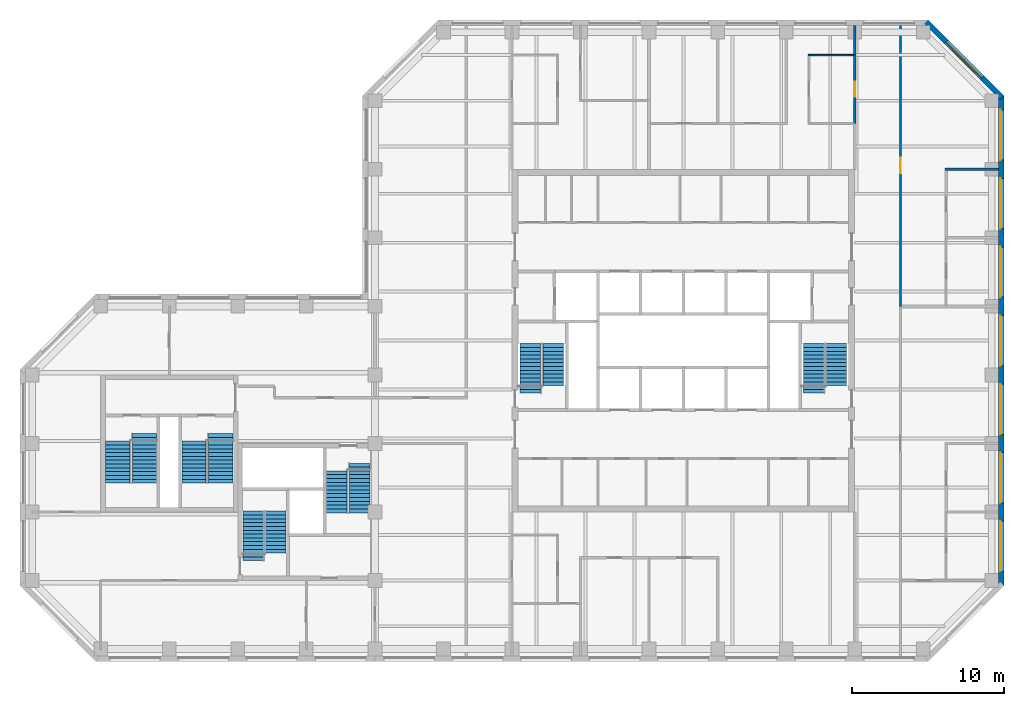
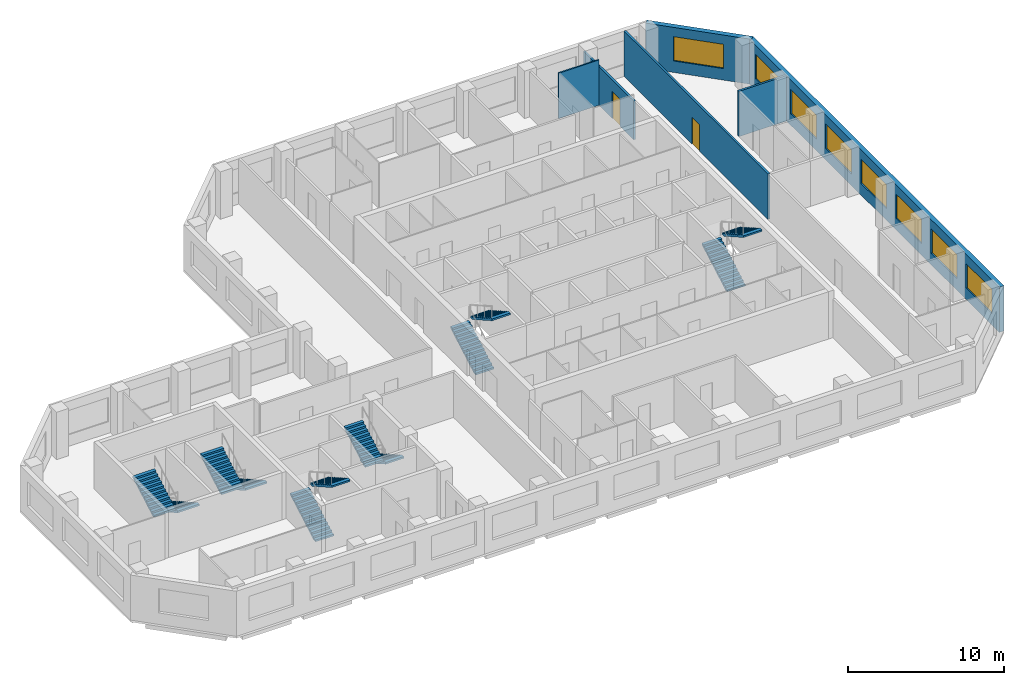
# One storey, part 8 of 9: 12 stair flights, 8 windows, 7 walls, 2 doors, 10 openings, 6 elements without a shape of their own.
"""IFC4 building model written with IfcOpenShell, lengths in metres."""

from ifc_helpers import new_model, si_unit, direction, frame, frame_2d, origin, place, context, subcontext, project, spatial, polyline, rectangle, outline, extrude, material, layer, layer_set, constituent, constituent_set, type_object, element, fill, aggregate, save


model = new_model("IFC4")

# Units and contexts
model_context = context("Model", 3, precision=1e-05, world=origin(), true_north=direction((0.0, 1.0)))
body_context = subcontext(model_context, "Body", "Model", "MODEL_VIEW")
ifc_project = project(units=[si_unit("LENGTHUNIT", "METRE"), si_unit("AREAUNIT", "SQUARE_METRE"), si_unit("VOLUMEUNIT", "CUBIC_METRE"), si_unit("PLANEANGLEUNIT", "RADIAN"), si_unit("MASSUNIT", "GRAM", prefix="KILO")], contexts=[model_context])

# Site, building, storey
site_placement = place(None, origin())
site = spatial("IfcSite", under=ifc_project, at=site_placement, CompositionType="ELEMENT")
building_placement = place(site_placement, origin())
building = spatial("IfcBuilding", under=site, at=building_placement, Name="Quoin Convention Tower", CompositionType="ELEMENT")
storey_placement = place(building_placement, frame((0.0, 0.0, 252.60009765625)))
storey = spatial("IfcBuildingStorey", under=building, at=storey_placement, Name="L66", CompositionType="ELEMENT", Elevation=252.60009765625)

# Wall
ifc_material_1 = material(Name="Plasterboard")
ifc_layer_1 = layer(ifc_material_1, 0.012451171875, Name="Finish")
ifc_material_2 = material(Name="Steel stud framing", Category="steel")
ifc_layer_2 = layer(ifc_material_2, 0.125, Name="Structure")
ifc_layer_3 = layer(ifc_material_1, 0.012451171875, Name="Finish")
ifc_layer_set_1 = layer_set([ifc_layer_1, ifc_layer_2, ifc_layer_3], Name="Steel stud framing")
wall_type_1 = type_object("IfcWallType", Name="Acoustic partition 150", PredefinedType="PARTITIONING", material=ifc_layer_set_1)
wall_1_placement = place(storey_placement, frame((73.425048828125, 72.0, 0.0), z_axis=(0.0, 0.0, 1.0), x_axis=(1.0, 0.0, 0.0)))
element("IfcWall", 1, at=wall_1_placement, inside=storey, type_object=wall_type_1, Name="pw-L66-024", PredefinedType="PARTITIONING", context=body_context, shape_type="SweptSolid", body=[
    extrude(rectangle(XDim=3.52490234375, YDim=0.14990234375, at=frame_2d((1.762451171875, 0.0))), origin(), (0.0, 0.0, 1.0), 3.5498046875),
])

# Wall, openings, windows
ifc_material_3 = material(Name="Brick masonry", Category="masonry")
ifc_layer_4 = layer(ifc_material_3, 0.35009765625)
ifc_layer_set_2 = layer_set([ifc_layer_4], Name="Brick masonry")
wall_type_2 = type_object("IfcWallType", Name="Brick facade wall", PredefinedType="STANDARD", material=ifc_layer_set_2)
wall_2_placement = place(storey_placement, frame((77.125, 44.668701171875, 0.0), z_axis=(0.0, 0.0, 1.0), x_axis=(0.0, 1.0, 0.0)))
wall_2 = element("IfcWall", 2, at=wall_2_placement, inside=storey, type_object=wall_type_2, Name="fw-L66-76500_45000", PredefinedType="STANDARD", context=body_context, shape_type="SweptSolid", body=[
    extrude(rectangle(XDim=32.16259765625, YDim=0.35009765625, at=frame_2d((16.081298828125, 0.0))), origin(), (0.0, 0.0, 1.0), 3.52490234375),
])
opening_1_placement = place(wall_2_placement, frame((0.931396484375, 0.0, 0.89990234375)))
opening_1 = element("IfcOpeningElement", 3, at=opening_1_placement, cuts=wall_2, Name="Opening W-02", PredefinedType="OPENING", context=body_context, shape_type="SweptSolid", body=[
    extrude(rectangle(XDim=3.300048828125, YDim=1.89990234375, at=frame_2d((1.64990234375, 0.949951171875))), frame((0.0, 0.18505859375, 0.0), z_axis=(0.0, -1.0, 0.0), x_axis=(1.0, 0.0, 0.0)), (0.0, 0.0, 1.0), 0.3701171875),
])
opening_2_placement = place(wall_2_placement, frame((5.431396484375, 0.0, 0.89990234375)))
opening_2 = element("IfcOpeningElement", 4, at=opening_2_placement, cuts=wall_2, Name="Opening W-02", PredefinedType="OPENING", context=body_context, shape_type="SweptSolid", body=[
    extrude(rectangle(XDim=3.300048828125, YDim=1.89990234375, at=frame_2d((1.64990234375, 0.949951171875))), frame((0.0, 0.18505859375, 0.0), z_axis=(0.0, -1.0, 0.0), x_axis=(1.0, 0.0, 0.0)), (0.0, 0.0, 1.0), 0.3701171875),
])
opening_3_placement = place(wall_2_placement, frame((9.931396484375, 0.0, 0.89990234375)))
opening_3 = element("IfcOpeningElement", 5, at=opening_3_placement, cuts=wall_2, Name="Opening W-02", PredefinedType="OPENING", context=body_context, shape_type="SweptSolid", body=[
    extrude(rectangle(XDim=3.300048828125, YDim=1.89990234375, at=frame_2d((1.64990234375, 0.949951171875))), frame((0.0, 0.18505859375, 0.0), z_axis=(0.0, -1.0, 0.0), x_axis=(1.0, 0.0, 0.0)), (0.0, 0.0, 1.0), 0.3701171875),
])
opening_4_placement = place(wall_2_placement, frame((14.431396484375, 0.0, 0.89990234375)))
opening_4 = element("IfcOpeningElement", 6, at=opening_4_placement, cuts=wall_2, Name="Opening W-02", PredefinedType="OPENING", context=body_context, shape_type="SweptSolid", body=[
    extrude(rectangle(XDim=3.300048828125, YDim=1.89990234375, at=frame_2d((1.64990234375, 0.949951171875))), frame((0.0, 0.18505859375, 0.0), z_axis=(0.0, -1.0, 0.0), x_axis=(1.0, 0.0, 0.0)), (0.0, 0.0, 1.0), 0.3701171875),
])
opening_5_placement = place(wall_2_placement, frame((18.931396484375, 0.0, 0.89990234375)))
opening_5 = element("IfcOpeningElement", 7, at=opening_5_placement, cuts=wall_2, Name="Opening W-02", PredefinedType="OPENING", context=body_context, shape_type="SweptSolid", body=[
    extrude(rectangle(XDim=3.300048828125, YDim=1.89990234375, at=frame_2d((1.64990234375, 0.949951171875))), frame((0.0, 0.18505859375, 0.0), z_axis=(0.0, -1.0, 0.0), x_axis=(1.0, 0.0, 0.0)), (0.0, 0.0, 1.0), 0.3701171875),
])
opening_6_placement = place(wall_2_placement, frame((23.431396484375, 0.0, 0.89990234375)))
opening_6 = element("IfcOpeningElement", 8, at=opening_6_placement, cuts=wall_2, Name="Opening W-02", PredefinedType="OPENING", context=body_context, shape_type="SweptSolid", body=[
    extrude(rectangle(XDim=3.300048828125, YDim=1.89990234375, at=frame_2d((1.64990234375, 0.949951171875))), frame((0.0, 0.18505859375, 0.0), z_axis=(0.0, -1.0, 0.0), x_axis=(1.0, 0.0, 0.0)), (0.0, 0.0, 1.0), 0.3701171875),
])
opening_7_placement = place(wall_2_placement, frame((27.931396484375, 0.0, 0.89990234375)))
opening_7 = element("IfcOpeningElement", 9, at=opening_7_placement, cuts=wall_2, Name="Opening W-02", PredefinedType="OPENING", context=body_context, shape_type="SweptSolid", body=[
    extrude(rectangle(XDim=3.300048828125, YDim=1.89990234375, at=frame_2d((1.64990234375, 0.949951171875))), frame((0.0, 0.18505859375, 0.0), z_axis=(0.0, -1.0, 0.0), x_axis=(1.0, 0.0, 0.0)), (0.0, 0.0, 1.0), 0.3701171875),
])
ifc_material_4 = material(Name="Aluminium", Category="aluminium")
ifc_constituent_1 = constituent(ifc_material_4, Name="Frame")
ifc_material_5 = material(Name="Insulated glass", Category="glass")
ifc_constituent_2 = constituent(ifc_material_5, Name="Glazing")
ifc_constituent_set = constituent_set(constituents=[ifc_constituent_1, ifc_constituent_2], Name="Aluminium")
window_type = type_object("IfcWindowType", Name="Office window", PartitioningType="DOUBLE_PANEL_VERTICAL", PredefinedType="WINDOW", material=ifc_constituent_set)
window_1_placement = place(opening_1_placement, origin())
window_1 = element("IfcWindow", 10, at=window_1_placement, inside=storey, type_object=window_type, Name="win-L66-77125_47250", OverallHeight=1.89990234375, OverallWidth=3.300048828125, PartitioningType="SINGLE_PANEL", PredefinedType="WINDOW", context=body_context, shape_type="SweptSolid", body=[
    extrude(rectangle(XDim=3.300048828125, YDim=1.89990234375, at=frame_2d((1.64990234375, 0.949951171875))), frame((0.0, 0.0849609375, 0.0), z_axis=(0.0, -1.0, 0.0), x_axis=(1.0, 0.0, 0.0)), (0.0, 0.0, 1.0), 0.06005859375),
])
fill(opening_1, window_1)
window_2_placement = place(opening_2_placement, origin())
window_2 = element("IfcWindow", 11, at=window_2_placement, inside=storey, type_object=window_type, Name="win-L66-77125_51750", OverallHeight=1.89990234375, OverallWidth=3.300048828125, PartitioningType="SINGLE_PANEL", PredefinedType="WINDOW", context=body_context, shape_type="SweptSolid", body=[
    extrude(rectangle(XDim=3.300048828125, YDim=1.89990234375, at=frame_2d((1.64990234375, 0.949951171875))), frame((0.0, 0.0849609375, 0.0), z_axis=(0.0, -1.0, 0.0), x_axis=(1.0, 0.0, 0.0)), (0.0, 0.0, 1.0), 0.06005859375),
])
fill(opening_2, window_2)
window_3_placement = place(opening_3_placement, origin())
window_3 = element("IfcWindow", 12, at=window_3_placement, inside=storey, type_object=window_type, Name="win-L66-77125_56250", OverallHeight=1.89990234375, OverallWidth=3.300048828125, PartitioningType="SINGLE_PANEL", PredefinedType="WINDOW", context=body_context, shape_type="SweptSolid", body=[
    extrude(rectangle(XDim=3.300048828125, YDim=1.89990234375, at=frame_2d((1.64990234375, 0.949951171875))), frame((0.0, 0.0849609375, 0.0), z_axis=(0.0, -1.0, 0.0), x_axis=(1.0, 0.0, 0.0)), (0.0, 0.0, 1.0), 0.06005859375),
])
fill(opening_3, window_3)
window_4_placement = place(opening_4_placement, origin())
window_4 = element("IfcWindow", 13, at=window_4_placement, inside=storey, type_object=window_type, Name="win-L66-77125_60750", OverallHeight=1.89990234375, OverallWidth=3.300048828125, PartitioningType="SINGLE_PANEL", PredefinedType="WINDOW", context=body_context, shape_type="SweptSolid", body=[
    extrude(rectangle(XDim=3.300048828125, YDim=1.89990234375, at=frame_2d((1.64990234375, 0.949951171875))), frame((0.0, 0.0849609375, 0.0), z_axis=(0.0, -1.0, 0.0), x_axis=(1.0, 0.0, 0.0)), (0.0, 0.0, 1.0), 0.06005859375),
])
fill(opening_4, window_4)
window_5_placement = place(opening_5_placement, origin())
window_5 = element("IfcWindow", 14, at=window_5_placement, inside=storey, type_object=window_type, Name="win-L66-77125_65250", OverallHeight=1.89990234375, OverallWidth=3.300048828125, PartitioningType="SINGLE_PANEL", PredefinedType="WINDOW", context=body_context, shape_type="SweptSolid", body=[
    extrude(rectangle(XDim=3.300048828125, YDim=1.89990234375, at=frame_2d((1.64990234375, 0.949951171875))), frame((0.0, 0.0849609375, 0.0), z_axis=(0.0, -1.0, 0.0), x_axis=(1.0, 0.0, 0.0)), (0.0, 0.0, 1.0), 0.06005859375),
])
fill(opening_5, window_5)
window_6_placement = place(opening_6_placement, origin())
window_6 = element("IfcWindow", 15, at=window_6_placement, inside=storey, type_object=window_type, Name="win-L66-77125_69750", OverallHeight=1.89990234375, OverallWidth=3.300048828125, PartitioningType="SINGLE_PANEL", PredefinedType="WINDOW", context=body_context, shape_type="SweptSolid", body=[
    extrude(rectangle(XDim=3.300048828125, YDim=1.89990234375, at=frame_2d((1.64990234375, 0.949951171875))), frame((0.0, 0.0849609375, 0.0), z_axis=(0.0, -1.0, 0.0), x_axis=(1.0, 0.0, 0.0)), (0.0, 0.0, 1.0), 0.06005859375),
])
fill(opening_6, window_6)
window_7_placement = place(opening_7_placement, origin())
window_7 = element("IfcWindow", 16, at=window_7_placement, inside=storey, type_object=window_type, Name="win-L66-77125_74250", OverallHeight=1.89990234375, OverallWidth=3.300048828125, PartitioningType="SINGLE_PANEL", PredefinedType="WINDOW", context=body_context, shape_type="SweptSolid", body=[
    extrude(rectangle(XDim=3.300048828125, YDim=1.89990234375, at=frame_2d((1.64990234375, 0.949951171875))), frame((0.0, 0.0849609375, 0.0), z_axis=(0.0, -1.0, 0.0), x_axis=(1.0, 0.0, 0.0)), (0.0, 0.0, 1.0), 0.06005859375),
])
fill(opening_7, window_7)

# Wall, opening, window
wall_3_placement = place(storey_placement, frame((77.17626953125, 76.70751953125, 0.0), z_axis=(0.0, 0.0, 1.0), x_axis=(-0.707106781187, 0.707106781187, 0.0)))
wall_3 = element("IfcWall", 17, at=wall_3_placement, inside=storey, type_object=wall_type_2, Name="fw-L66-76500_76500", PredefinedType="STANDARD", context=body_context, shape_type="SweptSolid", body=[
    extrude(rectangle(XDim=7.02685546875, YDim=0.35009765625, at=frame_2d((3.513427734375, 0.0))), origin(), (0.0, 0.0, 1.0), 3.52490234375),
])
opening_8_placement = place(wall_3_placement, frame((1.86328125, 0.0, 0.89990234375)))
opening_8 = element("IfcOpeningElement", 18, at=opening_8_placement, cuts=wall_3, Name="Opening W-02", PredefinedType="OPENING", context=body_context, shape_type="SweptSolid", body=[
    extrude(rectangle(XDim=3.300048828125, YDim=1.89990234375, at=frame_2d((1.64990234375, 0.949951171875))), frame((0.0, 0.18505859375, 0.0), z_axis=(0.0, -1.0, 0.0), x_axis=(1.0, 0.0, 0.0)), (0.0, 0.0, 1.0), 0.3701171875),
])
window_8_placement = place(opening_8_placement, origin())
window_8 = element("IfcWindow", 19, at=window_8_placement, inside=storey, type_object=window_type, Name="win-L66-74692_79192", OverallHeight=1.89990234375, OverallWidth=3.300048828125, PartitioningType="SINGLE_PANEL", PredefinedType="WINDOW", context=body_context, shape_type="SweptSolid", body=[
    extrude(rectangle(XDim=3.300048828125, YDim=1.89990234375, at=frame_2d((1.64990234375, 0.949951171875))), frame((0.0, 0.0849609375, 0.0), z_axis=(0.0, -1.0, 0.0), x_axis=(1.0, 0.0, 0.0)), (0.0, 0.0, 1.0), 0.06005859375),
])
fill(opening_8, window_8)

# Wall, opening, door
ifc_layer_5 = layer(ifc_material_1, 0.012451171875, Name="Finish")
ifc_layer_6 = layer(ifc_material_2, 0.125, Name="Structure")
ifc_layer_7 = layer(ifc_material_1, 0.012451171875, Name="Finish")
ifc_layer_set_3 = layer_set([ifc_layer_5, ifc_layer_6, ifc_layer_7], Name="Steel stud framing")
wall_type_3 = type_object("IfcWallType", Name="Corridor wall 150", PredefinedType="PARTITIONING", material=ifc_layer_set_3)
wall_4_placement = place(storey_placement, frame((70.5, 63.0, 0.0), z_axis=(0.0, 0.0, 1.0), x_axis=(0.0, 1.0, 0.0)))
wall_4 = element("IfcWall", 20, at=wall_4_placement, inside=storey, type_object=wall_type_3, Name="pw-L66-062", PredefinedType="PARTITIONING", context=body_context, shape_type="SweptSolid", body=[
    extrude(rectangle(XDim=18.449951171875, YDim=0.14990234375, at=frame_2d((9.22509765625, 0.0))), origin(), (0.0, 0.0, 1.0), 3.5498046875),
])
opening_9_placement = place(wall_4_placement, frame((8.75, 0.0, 0.0)))
opening_9 = element("IfcOpeningElement", 21, at=opening_9_placement, cuts=wall_4, Name="Opening DOH12-15", PredefinedType="OPENING", context=body_context, shape_type="SweptSolid", body=[
    extrude(rectangle(XDim=1.0, YDim=2.10009765625, at=frame_2d((0.5, 1.050048828125))), frame((0.0, 0.0849609375, 0.0), z_axis=(0.0, -1.0, 0.0), x_axis=(1.0, 0.0, 0.0)), (0.0, 0.0, 1.0), 0.169921875),
])
ifc_material_6 = material(Name="Steel door leaf", Category="steel")
door_type = type_object("IfcDoorType", Name="Tenancy entrance door 1000 x 2100", OperationType="DOUBLE_DOOR_SINGLE_SWING", PredefinedType="DOOR", material=ifc_material_6)
door_1_placement = place(opening_9_placement, frame((1.0, 0.0, 0.0), z_axis=(0.0, 0.0, 1.0), x_axis=(-1.0, 0.0, 0.0)))
door_1 = element("IfcDoor", 22, at=door_1_placement, inside=storey, type_object=door_type, Name="dr-L66-27", OperationType="DOUBLE_DOOR_SINGLE_SWING", OverallHeight=2.10009765625, OverallWidth=1.0, PredefinedType="DOOR", context=body_context, shape_type="SweptSolid", body=[
    extrude(rectangle(XDim=1.0, YDim=2.10009765625, at=frame_2d((0.5, 1.050048828125))), frame((0.0, 0.02490234375, 0.0), z_axis=(0.0, -1.0, 0.0), x_axis=(1.0, 0.0, 0.0)), (0.0, 0.0, 1.0), 0.050048828125),
])
fill(opening_9, door_1)

ifc_layer_8 = layer(ifc_material_1, 0.012451171875, Name="Finish")
ifc_layer_9 = layer(ifc_material_2, 0.125, Name="Structure")
ifc_layer_10 = layer(ifc_material_1, 0.012451171875, Name="Finish")
ifc_layer_set_4 = layer_set([ifc_layer_8, ifc_layer_9, ifc_layer_10], Name="Steel stud framing")
wall_type_4 = type_object("IfcWallType", Name="Corridor wall 150 under beam 528", PredefinedType="PARTITIONING", material=ifc_layer_set_4)
wall_5_placement = place(storey_placement, frame((67.5, 75.0, 0.0), z_axis=(0.0, 0.0, 1.0), x_axis=(0.0, 1.0, 0.0)))
wall_5 = element("IfcWall", 23, at=wall_5_placement, inside=storey, type_object=wall_type_4, Name="pw-L66-070", PredefinedType="PARTITIONING", context=body_context, shape_type="SweptSolid", body=[
    extrude(rectangle(XDim=4.5, YDim=0.14990234375, at=frame_2d((2.25, 0.0))), origin(), (0.0, 0.0, 1.0), 3.02197265625),
])
opening_10_placement = place(wall_5_placement, frame((1.75, 0.0, 0.0)))
opening_10 = element("IfcOpeningElement", 24, at=opening_10_placement, cuts=wall_5, Name="Opening DOH12-19", PredefinedType="OPENING", context=body_context, shape_type="SweptSolid", body=[
    extrude(rectangle(XDim=1.0, YDim=2.10009765625, at=frame_2d((0.5, 1.050048828125))), frame((0.0, 0.0849609375, 0.0), z_axis=(0.0, -1.0, 0.0), x_axis=(1.0, 0.0, 0.0)), (0.0, 0.0, 1.0), 0.169921875),
])
door_2_placement = place(opening_10_placement, frame((1.0, 0.0, 0.0), z_axis=(0.0, 0.0, 1.0), x_axis=(-1.0, 0.0, 0.0)))
door_2 = element("IfcDoor", 25, at=door_2_placement, inside=storey, type_object=door_type, Name="dr-L66-19", OperationType="DOUBLE_DOOR_SINGLE_SWING", OverallHeight=2.10009765625, OverallWidth=1.0, PredefinedType="DOOR", context=body_context, shape_type="SweptSolid", body=[
    extrude(rectangle(XDim=1.0, YDim=2.10009765625, at=frame_2d((0.5, 1.050048828125))), frame((0.0, 0.02490234375, 0.0), z_axis=(0.0, -1.0, 0.0), x_axis=(1.0, 0.0, 0.0)), (0.0, 0.0, 1.0), 0.050048828125),
])
fill(opening_10, door_2)

# Walls
wall_6_placement = place(storey_placement, frame((67.5, 79.5, 0.0), z_axis=(0.0, 0.0, 1.0), x_axis=(0.0, 1.0, 0.0)))
element("IfcWall", 26, at=wall_6_placement, inside=storey, type_object=wall_type_4, Name="pw-L66-078", PredefinedType="PARTITIONING", context=body_context, shape_type="SweptSolid", body=[
    extrude(rectangle(XDim=1.949951171875, YDim=0.14990234375, at=frame_2d((0.97509765625, 0.0))), origin(), (0.0, 0.0, 1.0), 3.02197265625),
])
ifc_layer_11 = layer(ifc_material_1, 0.012451171875, Name="Finish")
ifc_layer_12 = layer(ifc_material_2, 0.074951171875, Name="Structure")
ifc_layer_13 = layer(ifc_material_1, 0.012451171875, Name="Finish")
ifc_layer_set_5 = layer_set([ifc_layer_11, ifc_layer_12, ifc_layer_13], Name="Steel stud framing")
wall_type_5 = type_object("IfcWallType", Name="Stud partition 100", PredefinedType="PARTITIONING", material=ifc_layer_set_5)
wall_7_placement = place(storey_placement, frame((64.449951171875, 79.5, 0.0), z_axis=(0.0, 0.0, 1.0), x_axis=(1.0, 0.0, 0.0)))
element("IfcWall", 27, at=wall_7_placement, inside=storey, type_object=wall_type_5, Name="pw-L66-031", PredefinedType="PARTITIONING", context=body_context, shape_type="SweptSolid", body=[
    extrude(rectangle(XDim=2.97509765625, YDim=0.10009765625, at=frame_2d((1.487548828125, 0.0))), origin(), (0.0, 0.0, 1.0), 3.5498046875),
])

# Stair, stair flights
ifc_material_7 = material(Name="Concrete C40", Category="concrete")
stair_type_1 = type_object("IfcStairType", Name="Exit stair two-flight 1350", PredefinedType="HALF_TURN_STAIR", material=ifc_material_7)
stair_1_placement = place(storey_placement, origin())
stair_1 = element("IfcStair", 28, at=stair_1_placement, inside=storey, type_object=stair_type_1, Name="SD1 L66", PredefinedType="HALF_TURN_STAIR")
stair_flight_type_1 = type_object("IfcStairFlightType", Name="Stair flight 1350", PredefinedType="STRAIGHT", material=ifc_material_7)
stair_flight_1_placement = place(storey_placement, frame((46.199951171875, 57.300048828125, 0.0), z_axis=(0.0, 0.0, 1.0), x_axis=(0.0, 1.0, 0.0)))
stair_flight_1 = element("IfcStairFlight", 29, at=stair_flight_1_placement, type_object=stair_flight_type_1, Name="ST1 flight 1", NumberOfRisers=14, NumberOfTreads=13, PredefinedType="STRAIGHT", RiserHeight=0.142307692, TreadLength=0.25, context=body_context, shape_type="SweptSolid", body=[
    extrude(outline(polyline([(0.0, 0.0), (0.0, 0.142333984375), (0.25, 0.142333984375), (0.25, 0.28466796875), (0.5, 0.28466796875), (0.5, 0.427001953125), (0.75, 0.427001953125), (0.75, 0.5693359375), (1.0, 0.5693359375), (1.0, 0.71142578125), (1.25, 0.71142578125), (1.25, 0.853759765625), (1.5, 0.853759765625), (1.5, 0.99609375), (1.75, 0.99609375), (1.75, 1.138427734375), (2.0, 1.138427734375), (2.0, 1.28076171875), (2.25, 1.28076171875), (2.25, 1.423095703125), (2.5, 1.423095703125), (2.5, 1.5654296875), (2.75, 1.5654296875), (2.75, 1.707763671875), (3.0, 1.707763671875), (3.0, 1.85009765625), (3.25, 1.85009765625), (3.25, 1.9921875), (3.25, 1.711669921875), (0.242919921875, 0.0), (0.0, 0.0)])), frame((0.0, 0.675048828125, 0.0), z_axis=(0.0, -1.0, 0.0), x_axis=(1.0, 0.0, 0.0)), (0.0, 0.0, 1.0), 1.35009765625),
])
stair_flight_2_placement = place(storey_placement, frame((47.699951171875, 60.550048828125, 1.9921875), z_axis=(0.0, 0.0, 1.0), x_axis=(0.0, -1.0, 0.0)))
stair_flight_2 = element("IfcStairFlight", 30, at=stair_flight_2_placement, type_object=stair_flight_type_1, Name="ST1 flight 2", NumberOfRisers=12, NumberOfTreads=11, PredefinedType="STRAIGHT", RiserHeight=0.142307692, TreadLength=0.25, context=body_context, shape_type="SweptSolid", body=[
    extrude(outline(polyline([(0.0, 0.0), (0.0, 0.142333984375), (0.25, 0.142333984375), (0.25, 0.28466796875), (0.5, 0.28466796875), (0.5, 0.427001953125), (0.75, 0.427001953125), (0.75, 0.5693359375), (1.0, 0.5693359375), (1.0, 0.71142578125), (1.25, 0.71142578125), (1.25, 0.853759765625), (1.5, 0.853759765625), (1.5, 0.99609375), (1.75, 0.99609375), (1.75, 1.138427734375), (2.0, 1.138427734375), (2.0, 1.28076171875), (2.25, 1.28076171875), (2.25, 1.423095703125), (2.5, 1.423095703125), (2.5, 1.5654296875), (2.75, 1.5654296875), (2.75, 1.707763671875), (2.75, 1.42724609375), (0.242919921875, 0.0), (0.0, 0.0)])), frame((0.0, 0.675048828125, 0.0), z_axis=(0.0, -1.0, 0.0), x_axis=(1.0, 0.0, 0.0)), (0.0, 0.0, 1.0), 1.35009765625),
])
aggregate(stair_1, [stair_flight_1, stair_flight_2])

stair_2_placement = place(storey_placement, origin())
stair_2 = element("IfcStair", 31, at=stair_2_placement, inside=storey, type_object=stair_type_1, Name="SD2 L66", PredefinedType="HALF_TURN_STAIR")
stair_flight_3_placement = place(storey_placement, frame((64.800048828125, 57.300048828125, 0.0), z_axis=(0.0, 0.0, 1.0), x_axis=(0.0, 1.0, 0.0)))
stair_flight_3 = element("IfcStairFlight", 32, at=stair_flight_3_placement, type_object=stair_flight_type_1, Name="ST2 flight 1", NumberOfRisers=14, NumberOfTreads=13, PredefinedType="STRAIGHT", RiserHeight=0.142307692, TreadLength=0.25, context=body_context, shape_type="SweptSolid", body=[
    extrude(outline(polyline([(0.0, 0.0), (0.0, 0.142333984375), (0.25, 0.142333984375), (0.25, 0.28466796875), (0.5, 0.28466796875), (0.5, 0.427001953125), (0.75, 0.427001953125), (0.75, 0.5693359375), (1.0, 0.5693359375), (1.0, 0.71142578125), (1.25, 0.71142578125), (1.25, 0.853759765625), (1.5, 0.853759765625), (1.5, 0.99609375), (1.75, 0.99609375), (1.75, 1.138427734375), (2.0, 1.138427734375), (2.0, 1.28076171875), (2.25, 1.28076171875), (2.25, 1.423095703125), (2.5, 1.423095703125), (2.5, 1.5654296875), (2.75, 1.5654296875), (2.75, 1.707763671875), (3.0, 1.707763671875), (3.0, 1.85009765625), (3.25, 1.85009765625), (3.25, 1.9921875), (3.25, 1.711669921875), (0.242919921875, 0.0), (0.0, 0.0)])), frame((0.0, 0.675048828125, 0.0), z_axis=(0.0, -1.0, 0.0), x_axis=(1.0, 0.0, 0.0)), (0.0, 0.0, 1.0), 1.35009765625),
])
stair_flight_4_placement = place(storey_placement, frame((66.300048828125, 60.550048828125, 1.9921875), z_axis=(0.0, 0.0, 1.0), x_axis=(0.0, -1.0, 0.0)))
stair_flight_4 = element("IfcStairFlight", 33, at=stair_flight_4_placement, type_object=stair_flight_type_1, Name="ST2 flight 2", NumberOfRisers=12, NumberOfTreads=11, PredefinedType="STRAIGHT", RiserHeight=0.142307692, TreadLength=0.25, context=body_context, shape_type="SweptSolid", body=[
    extrude(outline(polyline([(0.0, 0.0), (0.0, 0.142333984375), (0.25, 0.142333984375), (0.25, 0.28466796875), (0.5, 0.28466796875), (0.5, 0.427001953125), (0.75, 0.427001953125), (0.75, 0.5693359375), (1.0, 0.5693359375), (1.0, 0.71142578125), (1.25, 0.71142578125), (1.25, 0.853759765625), (1.5, 0.853759765625), (1.5, 0.99609375), (1.75, 0.99609375), (1.75, 1.138427734375), (2.0, 1.138427734375), (2.0, 1.28076171875), (2.25, 1.28076171875), (2.25, 1.423095703125), (2.5, 1.423095703125), (2.5, 1.5654296875), (2.75, 1.5654296875), (2.75, 1.707763671875), (2.75, 1.42724609375), (0.242919921875, 0.0), (0.0, 0.0)])), frame((0.0, 0.675048828125, 0.0), z_axis=(0.0, -1.0, 0.0), x_axis=(1.0, 0.0, 0.0)), (0.0, 0.0, 1.0), 1.35009765625),
])
aggregate(stair_2, [stair_flight_3, stair_flight_4])

stair_3_placement = place(storey_placement, origin())
stair_3 = element("IfcStair", 34, at=stair_3_placement, inside=storey, type_object=stair_type_1, Name="SD3 L66", PredefinedType="HALF_TURN_STAIR")
stair_flight_5_placement = place(storey_placement, frame((28.0, 46.300048828125, 0.0), z_axis=(0.0, 0.0, 1.0), x_axis=(0.0, 1.0, 0.0)))
stair_flight_5 = element("IfcStairFlight", 35, at=stair_flight_5_placement, type_object=stair_flight_type_1, Name="ST3 flight 1", NumberOfRisers=14, NumberOfTreads=13, PredefinedType="STRAIGHT", RiserHeight=0.142307692, TreadLength=0.25, context=body_context, shape_type="SweptSolid", body=[
    extrude(outline(polyline([(0.0, 0.0), (0.0, 0.142333984375), (0.25, 0.142333984375), (0.25, 0.28466796875), (0.5, 0.28466796875), (0.5, 0.427001953125), (0.75, 0.427001953125), (0.75, 0.5693359375), (1.0, 0.5693359375), (1.0, 0.71142578125), (1.25, 0.71142578125), (1.25, 0.853759765625), (1.5, 0.853759765625), (1.5, 0.99609375), (1.75, 0.99609375), (1.75, 1.138427734375), (2.0, 1.138427734375), (2.0, 1.28076171875), (2.25, 1.28076171875), (2.25, 1.423095703125), (2.5, 1.423095703125), (2.5, 1.5654296875), (2.75, 1.5654296875), (2.75, 1.707763671875), (3.0, 1.707763671875), (3.0, 1.85009765625), (3.25, 1.85009765625), (3.25, 1.9921875), (3.25, 1.711669921875), (0.242919921875, 0.0), (0.0, 0.0)])), frame((0.0, 0.675048828125, 0.0), z_axis=(0.0, -1.0, 0.0), x_axis=(1.0, 0.0, 0.0)), (0.0, 0.0, 1.0), 1.35009765625),
])
stair_flight_6_placement = place(storey_placement, frame((29.5, 49.550048828125, 1.9921875), z_axis=(0.0, 0.0, 1.0), x_axis=(0.0, -1.0, 0.0)))
stair_flight_6 = element("IfcStairFlight", 36, at=stair_flight_6_placement, type_object=stair_flight_type_1, Name="ST3 flight 2", NumberOfRisers=12, NumberOfTreads=11, PredefinedType="STRAIGHT", RiserHeight=0.142307692, TreadLength=0.25, context=body_context, shape_type="SweptSolid", body=[
    extrude(outline(polyline([(0.0, 0.0), (0.0, 0.142333984375), (0.25, 0.142333984375), (0.25, 0.28466796875), (0.5, 0.28466796875), (0.5, 0.427001953125), (0.75, 0.427001953125), (0.75, 0.5693359375), (1.0, 0.5693359375), (1.0, 0.71142578125), (1.25, 0.71142578125), (1.25, 0.853759765625), (1.5, 0.853759765625), (1.5, 0.99609375), (1.75, 0.99609375), (1.75, 1.138427734375), (2.0, 1.138427734375), (2.0, 1.28076171875), (2.25, 1.28076171875), (2.25, 1.423095703125), (2.5, 1.423095703125), (2.5, 1.5654296875), (2.75, 1.5654296875), (2.75, 1.707763671875), (2.75, 1.42724609375), (0.242919921875, 0.0), (0.0, 0.0)])), frame((0.0, 0.675048828125, 0.0), z_axis=(0.0, -1.0, 0.0), x_axis=(1.0, 0.0, 0.0)), (0.0, 0.0, 1.0), 1.35009765625),
])
aggregate(stair_3, [stair_flight_5, stair_flight_6])

stair_4_placement = place(storey_placement, origin())
stair_4 = element("IfcStair", 37, at=stair_4_placement, inside=storey, type_object=stair_type_1, Name="SD4 L66", PredefinedType="HALF_TURN_STAIR")
stair_flight_7_placement = place(storey_placement, frame((35.0, 52.699951171875, 0.0), z_axis=(0.0, 0.0, 1.0), x_axis=(0.0, -1.0, 0.0)))
stair_flight_7 = element("IfcStairFlight", 38, at=stair_flight_7_placement, type_object=stair_flight_type_1, Name="ST4 flight 1", NumberOfRisers=14, NumberOfTreads=13, PredefinedType="STRAIGHT", RiserHeight=0.142307692, TreadLength=0.25, context=body_context, shape_type="SweptSolid", body=[
    extrude(outline(polyline([(0.0, 0.0), (0.0, 0.142333984375), (0.25, 0.142333984375), (0.25, 0.28466796875), (0.5, 0.28466796875), (0.5, 0.427001953125), (0.75, 0.427001953125), (0.75, 0.5693359375), (1.0, 0.5693359375), (1.0, 0.71142578125), (1.25, 0.71142578125), (1.25, 0.853759765625), (1.5, 0.853759765625), (1.5, 0.99609375), (1.75, 0.99609375), (1.75, 1.138427734375), (2.0, 1.138427734375), (2.0, 1.28076171875), (2.25, 1.28076171875), (2.25, 1.423095703125), (2.5, 1.423095703125), (2.5, 1.5654296875), (2.75, 1.5654296875), (2.75, 1.707763671875), (3.0, 1.707763671875), (3.0, 1.85009765625), (3.25, 1.85009765625), (3.25, 1.9921875), (3.25, 1.711669921875), (0.242919921875, 0.0), (0.0, 0.0)])), frame((0.0, 0.675048828125, 0.0), z_axis=(0.0, -1.0, 0.0), x_axis=(1.0, 0.0, 0.0)), (0.0, 0.0, 1.0), 1.35009765625),
])
stair_flight_8_placement = place(storey_placement, frame((33.5, 49.449951171875, 1.9921875), z_axis=(0.0, 0.0, 1.0), x_axis=(0.0, 1.0, 0.0)))
stair_flight_8 = element("IfcStairFlight", 39, at=stair_flight_8_placement, type_object=stair_flight_type_1, Name="ST4 flight 2", NumberOfRisers=12, NumberOfTreads=11, PredefinedType="STRAIGHT", RiserHeight=0.142307692, TreadLength=0.25, context=body_context, shape_type="SweptSolid", body=[
    extrude(outline(polyline([(0.0, 0.0), (0.0, 0.142333984375), (0.25, 0.142333984375), (0.25, 0.28466796875), (0.5, 0.28466796875), (0.5, 0.427001953125), (0.75, 0.427001953125), (0.75, 0.5693359375), (1.0, 0.5693359375), (1.0, 0.71142578125), (1.25, 0.71142578125), (1.25, 0.853759765625), (1.5, 0.853759765625), (1.5, 0.99609375), (1.75, 0.99609375), (1.75, 1.138427734375), (2.0, 1.138427734375), (2.0, 1.28076171875), (2.25, 1.28076171875), (2.25, 1.423095703125), (2.5, 1.423095703125), (2.5, 1.5654296875), (2.75, 1.5654296875), (2.75, 1.707763671875), (2.75, 1.42724609375), (0.242919921875, 0.0), (0.0, 0.0)])), frame((0.0, 0.675048828125, 0.0), z_axis=(0.0, -1.0, 0.0), x_axis=(1.0, 0.0, 0.0)), (0.0, 0.0, 1.0), 1.35009765625),
])
aggregate(stair_4, [stair_flight_7, stair_flight_8])

stair_type_2 = type_object("IfcStairType", Name="Exit stair two-flight 1600", PredefinedType="HALF_TURN_STAIR", material=ifc_material_7)
stair_5_placement = place(storey_placement, origin())
stair_5 = element("IfcStair", 40, at=stair_5_placement, inside=storey, type_object=stair_type_2, Name="SD11 L66", PredefinedType="HALF_TURN_STAIR")
stair_flight_type_2 = type_object("IfcStairFlightType", Name="Stair flight 1600", PredefinedType="STRAIGHT", material=ifc_material_7)
stair_flight_9_placement = place(storey_placement, frame((20.875, 54.64990234375, 0.0), z_axis=(0.0, 0.0, 1.0), x_axis=(0.0, -1.0, 0.0)))
stair_flight_9 = element("IfcStairFlight", 41, at=stair_flight_9_placement, type_object=stair_flight_type_2, Name="ST11 flight 1", NumberOfRisers=14, NumberOfTreads=13, PredefinedType="STRAIGHT", RiserHeight=0.142307692, TreadLength=0.25, context=body_context, shape_type="SweptSolid", body=[
    extrude(outline(polyline([(0.0, 0.0), (0.0, 0.142333984375), (0.25, 0.142333984375), (0.25, 0.28466796875), (0.5, 0.28466796875), (0.5, 0.427001953125), (0.75, 0.427001953125), (0.75, 0.5693359375), (1.0, 0.5693359375), (1.0, 0.71142578125), (1.25, 0.71142578125), (1.25, 0.853759765625), (1.5, 0.853759765625), (1.5, 0.99609375), (1.75, 0.99609375), (1.75, 1.138427734375), (2.0, 1.138427734375), (2.0, 1.28076171875), (2.25, 1.28076171875), (2.25, 1.423095703125), (2.5, 1.423095703125), (2.5, 1.5654296875), (2.75, 1.5654296875), (2.75, 1.707763671875), (3.0, 1.707763671875), (3.0, 1.85009765625), (3.25, 1.85009765625), (3.25, 1.9921875), (3.25, 1.711669921875), (0.242919921875, 0.0), (0.0, 0.0)])), frame((0.0, 0.800048828125, 0.0), z_axis=(0.0, -1.0, 0.0), x_axis=(1.0, 0.0, 0.0)), (0.0, 0.0, 1.0), 1.60009765625),
])
stair_flight_10_placement = place(storey_placement, frame((19.125, 51.39990234375, 1.9921875), z_axis=(0.0, 0.0, 1.0), x_axis=(0.0, 1.0, 0.0)))
stair_flight_10 = element("IfcStairFlight", 42, at=stair_flight_10_placement, type_object=stair_flight_type_2, Name="ST11 flight 2", NumberOfRisers=12, NumberOfTreads=11, PredefinedType="STRAIGHT", RiserHeight=0.142307692, TreadLength=0.25, context=body_context, shape_type="SweptSolid", body=[
    extrude(outline(polyline([(0.0, 0.0), (0.0, 0.142333984375), (0.25, 0.142333984375), (0.25, 0.28466796875), (0.5, 0.28466796875), (0.5, 0.427001953125), (0.75, 0.427001953125), (0.75, 0.5693359375), (1.0, 0.5693359375), (1.0, 0.71142578125), (1.25, 0.71142578125), (1.25, 0.853759765625), (1.5, 0.853759765625), (1.5, 0.99609375), (1.75, 0.99609375), (1.75, 1.138427734375), (2.0, 1.138427734375), (2.0, 1.28076171875), (2.25, 1.28076171875), (2.25, 1.423095703125), (2.5, 1.423095703125), (2.5, 1.5654296875), (2.75, 1.5654296875), (2.75, 1.707763671875), (2.75, 1.42724609375), (0.242919921875, 0.0), (0.0, 0.0)])), frame((0.0, 0.800048828125, 0.0), z_axis=(0.0, -1.0, 0.0), x_axis=(1.0, 0.0, 0.0)), (0.0, 0.0, 1.0), 1.60009765625),
])
aggregate(stair_5, [stair_flight_9, stair_flight_10])

stair_6_placement = place(storey_placement, origin())
stair_6 = element("IfcStair", 43, at=stair_6_placement, inside=storey, type_object=stair_type_2, Name="SD12 L66", PredefinedType="HALF_TURN_STAIR")
stair_flight_11_placement = place(storey_placement, frame((25.875, 54.64990234375, 0.0), z_axis=(0.0, 0.0, 1.0), x_axis=(0.0, -1.0, 0.0)))
stair_flight_11 = element("IfcStairFlight", 44, at=stair_flight_11_placement, type_object=stair_flight_type_2, Name="ST12 flight 1", NumberOfRisers=14, NumberOfTreads=13, PredefinedType="STRAIGHT", RiserHeight=0.142307692, TreadLength=0.25, context=body_context, shape_type="SweptSolid", body=[
    extrude(outline(polyline([(0.0, 0.0), (0.0, 0.142333984375), (0.25, 0.142333984375), (0.25, 0.28466796875), (0.5, 0.28466796875), (0.5, 0.427001953125), (0.75, 0.427001953125), (0.75, 0.5693359375), (1.0, 0.5693359375), (1.0, 0.71142578125), (1.25, 0.71142578125), (1.25, 0.853759765625), (1.5, 0.853759765625), (1.5, 0.99609375), (1.75, 0.99609375), (1.75, 1.138427734375), (2.0, 1.138427734375), (2.0, 1.28076171875), (2.25, 1.28076171875), (2.25, 1.423095703125), (2.5, 1.423095703125), (2.5, 1.5654296875), (2.75, 1.5654296875), (2.75, 1.707763671875), (3.0, 1.707763671875), (3.0, 1.85009765625), (3.25, 1.85009765625), (3.25, 1.9921875), (3.25, 1.711669921875), (0.242919921875, 0.0), (0.0, 0.0)])), frame((0.0, 0.800048828125, 0.0), z_axis=(0.0, -1.0, 0.0), x_axis=(1.0, 0.0, 0.0)), (0.0, 0.0, 1.0), 1.60009765625),
])
stair_flight_12_placement = place(storey_placement, frame((24.125, 51.39990234375, 1.9921875), z_axis=(0.0, 0.0, 1.0), x_axis=(0.0, 1.0, 0.0)))
stair_flight_12 = element("IfcStairFlight", 45, at=stair_flight_12_placement, type_object=stair_flight_type_2, Name="ST12 flight 2", NumberOfRisers=12, NumberOfTreads=11, PredefinedType="STRAIGHT", RiserHeight=0.142307692, TreadLength=0.25, context=body_context, shape_type="SweptSolid", body=[
    extrude(outline(polyline([(0.0, 0.0), (0.0, 0.142333984375), (0.25, 0.142333984375), (0.25, 0.28466796875), (0.5, 0.28466796875), (0.5, 0.427001953125), (0.75, 0.427001953125), (0.75, 0.5693359375), (1.0, 0.5693359375), (1.0, 0.71142578125), (1.25, 0.71142578125), (1.25, 0.853759765625), (1.5, 0.853759765625), (1.5, 0.99609375), (1.75, 0.99609375), (1.75, 1.138427734375), (2.0, 1.138427734375), (2.0, 1.28076171875), (2.25, 1.28076171875), (2.25, 1.423095703125), (2.5, 1.423095703125), (2.5, 1.5654296875), (2.75, 1.5654296875), (2.75, 1.707763671875), (2.75, 1.42724609375), (0.242919921875, 0.0), (0.0, 0.0)])), frame((0.0, 0.800048828125, 0.0), z_axis=(0.0, -1.0, 0.0), x_axis=(1.0, 0.0, 0.0)), (0.0, 0.0, 1.0), 1.60009765625),
])
aggregate(stair_6, [stair_flight_11, stair_flight_12])

save(model, "model.ifc")
